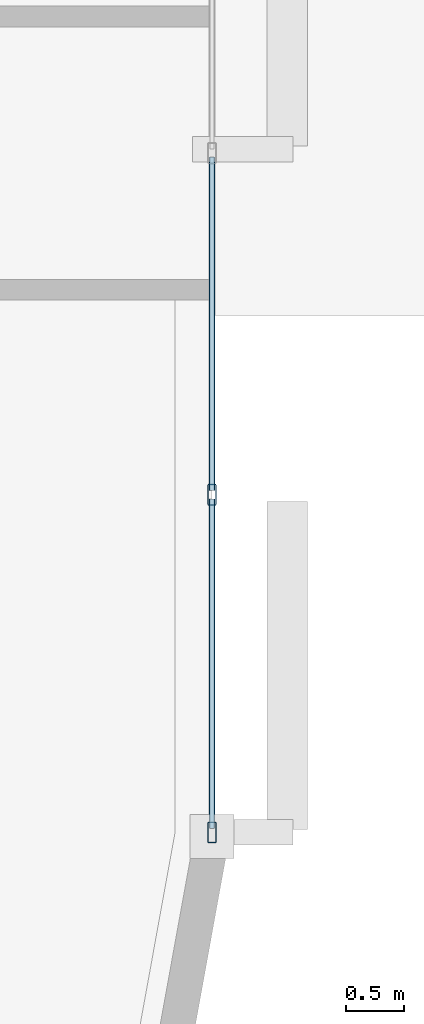
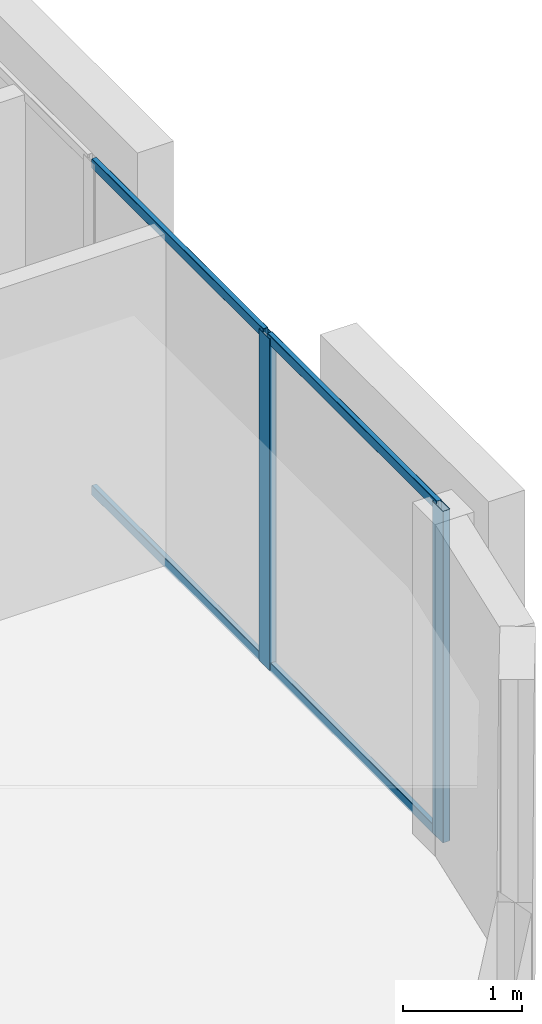
# One storey, part 4 of 13: 6 members, 1 element without a shape of its own.
"""IFC4 building model written with IfcOpenShell, lengths in metres."""

from ifc_helpers import new_model, si_unit, direction, frame, origin, origin_2d, place, context, subcontext, project, spatial, hollow_rectangle, extrude, material, layer, layer_set, material_profile, profile_set, type_object, element, aggregate, save


model = new_model("IFC4")

# Units and contexts
model_context = context("Model", 3, precision=1e-05, world=origin(), true_north=direction((0.0, 1.0)))
body_context = subcontext(model_context, "Body", "Model", "MODEL_VIEW")
ifc_project = project(units=[si_unit("LENGTHUNIT", "METRE"), si_unit("AREAUNIT", "SQUARE_METRE"), si_unit("VOLUMEUNIT", "CUBIC_METRE"), si_unit("PLANEANGLEUNIT", "RADIAN"), si_unit("MASSUNIT", "GRAM", prefix="KILO")], contexts=[model_context])

# Site, building, storey
site_placement = place(None, origin())
site = spatial("IfcSite", under=ifc_project, at=site_placement, CompositionType="ELEMENT")
building_placement = place(site_placement, origin())
building = spatial("IfcBuilding", under=site, at=building_placement, Name="An Khanh Terracotta Commons", CompositionType="ELEMENT")
storey_placement = place(building_placement, frame((0.0, 0.0, 212.10009765625)))
storey = spatial("IfcBuildingStorey", under=building, at=storey_placement, Name="L55", CompositionType="ELEMENT", Elevation=212.10009765625)

# Curtain wall, members
ifc_material = material(Name="Anodised Aluminium 6063-T6", Category="aluminium")
ifc_layer = layer(ifc_material, 0.2099609375, Name="Anodised Aluminium 6063-T6")
ifc_layer_set = layer_set([ifc_layer], Name="Anodised Aluminium 6063-T6")
curtain_wall_type = type_object("IfcCurtainWallType", Name="CW-SYS-03", PredefinedType="USERDEFINED", material=ifc_layer_set)
curtain_wall_placement = place(storey_placement, origin())
curtain_wall = element("IfcCurtainWall", 1, at=curtain_wall_placement, inside=storey, type_object=curtain_wall_type, Name="L55 CW-03 Unitised Curtain Wall CW-L55-12", ObjectType="UNITISED CURTAIN WALL", PredefinedType="USERDEFINED")
ifc_material_profile_1 = material_profile(ifc_material, hollow_rectangle(XDim=0.070068359375, YDim=0.179931640625, WallThickness=0.00390625, InnerFilletRadius=0.00390625, OuterFilletRadius=0.008056640625, at=origin_2d()), Name="RHS180x70x4")
ifc_profile_set_1 = profile_set([ifc_material_profile_1], Name="Anodised Aluminium 6063-T6")
member_type_1 = type_object("IfcMemberType", Name="CWM-RHS180x70x4", PredefinedType="MULLION", material=ifc_profile_set_1)
member_1_placement = place(storey_placement, frame((68.60009765625, 18.135986328125, 0.0), z_axis=(0.0, 0.0, 1.0), x_axis=(-1.0, 0.0, 0.0)))
member_1 = element("IfcMember", 2, at=member_1_placement, type_object=member_type_1, Name="CW-03 mullion 1", PredefinedType="MULLION", context=body_context, shape_type="SweptSolid", body=[
    extrude(hollow_rectangle(XDim=0.070068359375, YDim=0.179931640625, WallThickness=0.00390625, InnerFilletRadius=0.00390625, OuterFilletRadius=0.008056640625, at=origin_2d()), origin(), (0.0, 0.0, 1.0), 3.39990234375),
])
member_2_placement = place(storey_placement, frame((68.60009765625, 21.050537109375, 0.0), z_axis=(0.0, 0.0, 1.0), x_axis=(-1.0, 0.0, 0.0)))
member_2 = element("IfcMember", 3, at=member_2_placement, type_object=member_type_1, Name="CW-03 mullion 2", PredefinedType="MULLION", context=body_context, shape_type="SweptSolid", body=[
    extrude(hollow_rectangle(XDim=0.070068359375, YDim=0.179931640625, WallThickness=0.00390625, InnerFilletRadius=0.00390625, OuterFilletRadius=0.008056640625, at=origin_2d()), origin(), (0.0, 0.0, 1.0), 3.39990234375),
])
ifc_material_profile_2 = material_profile(ifc_material, hollow_rectangle(XDim=0.050048828125, YDim=0.10009765625, WallThickness=0.003173828125, InnerFilletRadius=0.003173828125, OuterFilletRadius=0.00634765625, at=origin_2d()), Name="RHS100x50x3.2")
ifc_profile_set_2 = profile_set([ifc_material_profile_2], Name="Anodised Aluminium 6063-T6")
member_type_2 = type_object("IfcMemberType", Name="CWT-RHS100x50x3.2", PredefinedType="USERDEFINED", material=ifc_profile_set_2)
member_3_placement = place(storey_placement, frame((68.60009765625, 18.1708984375, 0.02490234375), z_axis=(0.0, 1.0, 0.0), x_axis=(-1.0, 0.0, 0.0)))
member_3 = element("IfcMember", 4, at=member_3_placement, type_object=member_type_2, Name="CW-03 transom 1.1", ObjectType="TRANSOM", PredefinedType="USERDEFINED", context=body_context, shape_type="SweptSolid", body=[
    extrude(hollow_rectangle(XDim=0.050048828125, YDim=0.10009765625, WallThickness=0.003173828125, InnerFilletRadius=0.003173828125, OuterFilletRadius=0.00634765625, at=origin_2d()), origin(), (0.0, 0.0, 1.0), 2.844482421875),
])
member_4_placement = place(storey_placement, frame((68.60009765625, 18.1708984375, 3.375), z_axis=(0.0, 1.0, 0.0), x_axis=(-1.0, 0.0, 0.0)))
member_4 = element("IfcMember", 5, at=member_4_placement, type_object=member_type_2, Name="CW-03 transom 1.2", ObjectType="TRANSOM", PredefinedType="USERDEFINED", context=body_context, shape_type="SweptSolid", body=[
    extrude(hollow_rectangle(XDim=0.050048828125, YDim=0.10009765625, WallThickness=0.003173828125, InnerFilletRadius=0.003173828125, OuterFilletRadius=0.00634765625, at=origin_2d()), origin(), (0.0, 0.0, 1.0), 2.844482421875),
])
member_5_placement = place(storey_placement, frame((68.60009765625, 21.08544921875, 0.02490234375), z_axis=(0.0, 1.0, 0.0), x_axis=(-1.0, 0.0, 0.0)))
member_5 = element("IfcMember", 6, at=member_5_placement, type_object=member_type_2, Name="CW-03 transom 2.1", ObjectType="TRANSOM", PredefinedType="USERDEFINED", context=body_context, shape_type="SweptSolid", body=[
    extrude(hollow_rectangle(XDim=0.050048828125, YDim=0.10009765625, WallThickness=0.003173828125, InnerFilletRadius=0.003173828125, OuterFilletRadius=0.00634765625, at=origin_2d()), origin(), (0.0, 0.0, 1.0), 2.879638671875),
])
member_6_placement = place(storey_placement, frame((68.60009765625, 21.08544921875, 3.375), z_axis=(0.0, 1.0, 0.0), x_axis=(-1.0, 0.0, 0.0)))
member_6 = element("IfcMember", 7, at=member_6_placement, type_object=member_type_2, Name="CW-03 transom 2.2", ObjectType="TRANSOM", PredefinedType="USERDEFINED", context=body_context, shape_type="SweptSolid", body=[
    extrude(hollow_rectangle(XDim=0.050048828125, YDim=0.10009765625, WallThickness=0.003173828125, InnerFilletRadius=0.003173828125, OuterFilletRadius=0.00634765625, at=origin_2d()), origin(), (0.0, 0.0, 1.0), 2.879638671875),
])
aggregate(curtain_wall, [member_1, member_2, member_3, member_4, member_5, member_6])

save(model, "model.ifc")
